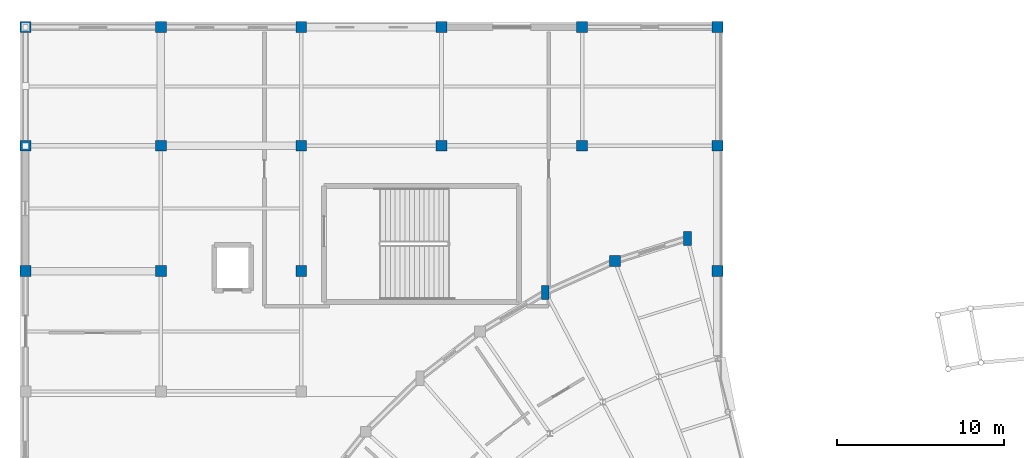
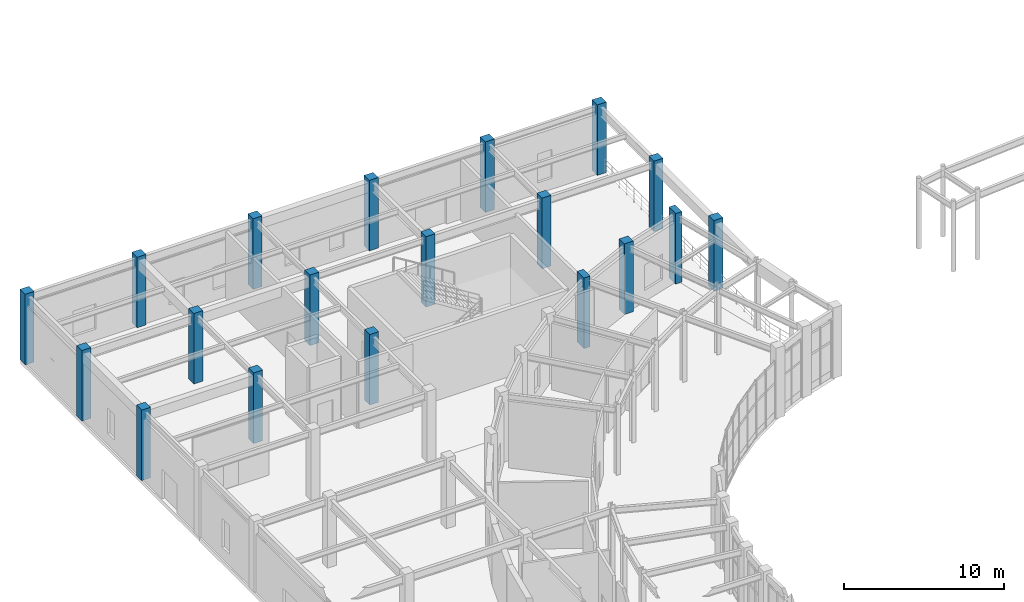
# One storey, part 11 of 93: 19 columns.
"""IFC4 building model written with IfcOpenShell, lengths in metres."""

import ifcopenshell
import ifcopenshell.guid

model = None  # the IFC model being written
_history = None  # IfcOwnerHistory: only IFC2X3 demands one
_inside = {}  # id of a spatial element -> (the spatial element, [elements in it])
_under = {}  # id of a project, library or spatial element -> (it, [spatial elements below it])
_declared = {}  # id of a project -> (the project, [libraries it declares])
_typed = {}  # id of a type object -> (the type object, [elements of that type])
_made_of = {}  # id of a material, layer set ... -> (it, [elements and type objects made of it])


def new_model(schema):
    """Start an empty IFC model of exactly this schema.

    Asked for "IFC4X3", IfcOpenShell would pick the latest addendum, in which some entities
    have other attributes; the version numbers below select the first issue.
    IFC2X3 requires an IfcOwnerHistory on every rooted entity: one is made here for all.
    """
    global model, _history
    if schema == "IFC4X3":
        model = ifcopenshell.file(schema_version=(4, 3, 0, 0))
    else:
        model = ifcopenshell.file(schema=schema)
    _inside.clear()
    _under.clear()
    _declared.clear()
    _typed.clear()
    _made_of.clear()
    _history = None
    if model.schema == "IFC2X3":
        org = make("IfcOrganization", Name="unknown")
        user = make(
            "IfcPersonAndOrganization",
            ThePerson=make("IfcPerson", FamilyName="unknown"),
            TheOrganization=org,
        )
        app = make(
            "IfcApplication",
            ApplicationDeveloper=org,
            Version="unknown",
            ApplicationFullName="unknown",
            ApplicationIdentifier="unknown",
        )
        _history = make(
            "IfcOwnerHistory",
            OwningUser=user,
            OwningApplication=app,
            ChangeAction="ADDED",
            CreationDate=0,
        )
    return model


def make(cls, **values):
    """One entity of the class cls with the attributes given. An attribute that is None is left unset."""
    return model.create_entity(
        cls, **{name: value for name, value in values.items() if value is not None}
    )


def rooted(cls, **values):
    """An entity with a GlobalId (a new one), such as an element, a storey or a relation."""
    return make(cls, GlobalId=ifcopenshell.guid.new(), OwnerHistory=_history, **values)


def si_unit(unit_type, name, prefix=None):
    """IfcSIUnit, for example si_unit("LENGTHUNIT", "METRE", prefix="MILLI")."""
    return make("IfcSIUnit", UnitType=unit_type, Prefix=prefix, Name=name)


def assignment(units):
    """IfcUnitAssignment: the units of a project."""
    return None if units is None else make("IfcUnitAssignment", Units=units)


def point(xyz):
    """IfcCartesianPoint."""
    return None if xyz is None else make("IfcCartesianPoint", Coordinates=xyz)


def direction(xyz):
    """IfcDirection."""
    return None if xyz is None else make("IfcDirection", DirectionRatios=xyz)


def frame(location, z_axis=None, x_axis=None):
    """IfcAxis2Placement3D, a coordinate frame: its origin and axes. An axis left out is left unset."""
    return make(
        "IfcAxis2Placement3D",
        Location=point(location),
        Axis=direction(z_axis),
        RefDirection=direction(x_axis),
    )


def frame_2d(location, x_axis=None):
    """IfcAxis2Placement2D, a coordinate frame in the plane: its origin and x axis."""
    return make(
        "IfcAxis2Placement2D", Location=point(location), RefDirection=direction(x_axis)
    )


def origin():
    """The frame at (0, 0, 0) with its axes left unset."""
    return frame((0.0, 0.0, 0.0))


def origin_2d():
    """The frame at (0, 0) in the plane with its x axis left unset."""
    return frame_2d((0.0, 0.0))


def place(relative_to, where):
    """IfcLocalPlacement: puts the frame where relative to a parent placement (None: the world)."""
    return make(
        "IfcLocalPlacement", PlacementRelTo=relative_to, RelativePlacement=where
    )


def context(
    kind, dimensions, precision=None, world=None, true_north=None, identifier=None
):
    """IfcGeometricRepresentationContext, for example the 3D "Model" context."""
    return make(
        "IfcGeometricRepresentationContext",
        ContextIdentifier=identifier,
        ContextType=kind,
        CoordinateSpaceDimension=dimensions,
        Precision=precision,
        WorldCoordinateSystem=world,
        TrueNorth=true_north,
    )


def subcontext(parent, identifier, kind, view, scale=None):
    """IfcGeometricRepresentationSubContext, for example "Body" below "Model"."""
    return make(
        "IfcGeometricRepresentationSubContext",
        ContextIdentifier=identifier,
        ContextType=kind,
        ParentContext=parent,
        TargetScale=scale,
        TargetView=view,
    )


def project(units=None, contexts=None):
    """IfcProject with its units and contexts."""
    return rooted(
        "IfcProject",
        Name="project",
        RepresentationContexts=contexts,
        UnitsInContext=assignment(units),
    )


def spatial(cls, under=None, at=None, **own):
    """A site, building, storey or space (cls), placed at a placement, below another one or the project."""
    s = rooted(cls, ObjectPlacement=at, **own)
    if under is not None:
        _under.setdefault(under.id(), (under, []))[1].append(s)
    return s


def profile(cls, at=None, kind="AREA", **sizes):
    """A parametric profile (cls). Its sizes go by their IFC names, for example OverallWidth=200.0."""
    return make(cls, ProfileType=kind, Position=at, **sizes)


def rectangle(**sizes):
    """IfcRectangleProfileDef."""
    return profile("IfcRectangleProfileDef", **sizes)


def extrude(swept, where, along, depth):
    """IfcExtrudedAreaSolid: the profile swept, set in the frame where, extruded along a direction by depth."""
    return make(
        "IfcExtrudedAreaSolid",
        SweptArea=swept,
        Position=where,
        ExtrudedDirection=direction(along),
        Depth=depth,
    )


def shape(context_of_items, identifier, shape_type, items):
    """IfcShapeRepresentation: the items that make up one representation, for example the "Body"."""
    return make(
        "IfcShapeRepresentation",
        ContextOfItems=context_of_items,
        RepresentationIdentifier=identifier,
        RepresentationType=shape_type,
        Items=items,
    )


def material(Name=None, Category=None):
    """IfcMaterial."""
    return make("IfcMaterial", Name=Name, Category=Category)


def material_profile(
    of_material, cross_section, Name=None, Category=None, Priority=None
):
    """IfcMaterialProfile: a cross section and its material."""
    return make(
        "IfcMaterialProfile",
        Name=Name,
        Material=of_material,
        Profile=cross_section,
        Priority=Priority,
        Category=Category,
    )


def profile_set(profiles, Name=None, composite=None):
    """IfcMaterialProfileSet."""
    return make(
        "IfcMaterialProfileSet",
        Name=Name,
        MaterialProfiles=profiles,
        CompositeProfile=composite,
    )


def made_of(thing, what):
    """Note that an element or type object is made of a material, layer set ...; save() writes the relation."""
    if what is not None:
        _made_of.setdefault(what.id(), (what, []))[1].append(thing)
    return thing


def type_object(cls, material=None, **own):
    """A type object (cls), such as IfcWallType, which elements share."""
    return made_of(rooted(cls, **own), material)


def element(
    cls,
    number,
    at=None,
    inside=None,
    cuts=None,
    type_object=None,
    material=None,
    context=None,
    identifier="Body",
    shape_type=None,
    held_by="IfcProductDefinitionShape",
    body=None,
    shapes=None,
    **own,
):
    """One element of the class cls, such as IfcWall. Its Tag is "e" and its number.

    at: its placement. inside: the storey or other place that contains it. cuts: it is an
    opening in that element (IfcRelVoidsElement). A single representation is given by context,
    identifier, shape_type and body (its items); several are given by shapes. held_by: the class
    of the entity that holds the representations. save() writes the other relations.
    """
    e = rooted(cls, Tag="e%d" % number, ObjectPlacement=at, **own)
    if body is not None:
        shapes = [shape(context, identifier, shape_type, body)]
    if shapes is not None:
        e.Representation = make(held_by, Representations=shapes)
    if inside is not None:
        _inside.setdefault(inside.id(), (inside, []))[1].append(e)
    if cuts is not None:
        rooted(
            "IfcRelVoidsElement", RelatingBuildingElement=cuts, RelatedOpeningElement=e
        )
    if type_object is not None:
        _typed.setdefault(type_object.id(), (type_object, []))[1].append(e)
    return made_of(e, material)


def aggregate(whole, parts):
    """IfcRelAggregates: a whole, such as a stair, and the parts it consists of."""
    return rooted("IfcRelAggregates", RelatingObject=whole, RelatedObjects=parts)


def save(model, path):
    """Write the relations noted so far, then the file.

    IfcRelAggregates (storeys below a building ...), IfcRelContainedInSpatialStructure (elements
    in a storey), IfcRelDefinesByType, IfcRelAssociatesMaterial and IfcRelDeclares: one each for
    every whole, place, type object, material and project.
    """
    for whole, parts in _under.values():
        aggregate(whole, parts)
    for where, things in _inside.values():
        rooted(
            "IfcRelContainedInSpatialStructure",
            RelatedElements=things,
            RelatingStructure=where,
        )
    for kind, things in _typed.values():
        rooted("IfcRelDefinesByType", RelatedObjects=things, RelatingType=kind)
    for what, things in _made_of.values():
        rooted("IfcRelAssociatesMaterial", RelatedObjects=things, RelatingMaterial=what)
    for by, libraries in _declared.values():
        rooted("IfcRelDeclares", RelatingContext=by, RelatedDefinitions=libraries)
    model.write(path)


model = new_model("IFC4")

# Units and contexts
model_context = context("Model", 3, precision=1e-05, world=origin(), true_north=direction((0.0, 1.0)))
body_context = subcontext(model_context, "Body", "Model", "MODEL_VIEW")
ifc_project = project(units=[si_unit("LENGTHUNIT", "METRE"), si_unit("AREAUNIT", "SQUARE_METRE"), si_unit("VOLUMEUNIT", "CUBIC_METRE"), si_unit("PLANEANGLEUNIT", "RADIAN"), si_unit("MASSUNIT", "GRAM", prefix="KILO")], contexts=[model_context])

# Site, building, storey
site_placement = place(None, origin())
site = spatial("IfcSite", under=ifc_project, at=site_placement, CompositionType="ELEMENT")
building_placement = place(site_placement, origin())
building = spatial("IfcBuilding", under=site, at=building_placement, Name="Cinderbank Siding Concert Hall", CompositionType="ELEMENT")
storey_placement = place(building_placement, origin())
storey = spatial("IfcBuildingStorey", under=building, at=storey_placement, Name="L01", CompositionType="ELEMENT", Elevation=0.0)

# Columns
ifc_material = material(Name="Reinforced concrete AS 3600 N50 (50 MPa)", Category="concrete")
ifc_material_profile_1 = material_profile(ifc_material, rectangle(XDim=0.64990234375, YDim=0.64990234375, at=origin_2d()), Name="RC-COL-650x650", Category="LoadBearing")
ifc_profile_set_1 = profile_set([ifc_material_profile_1], Name="Reinforced concrete AS 3600 N50 (50 MPa)")
column_type_1 = type_object("IfcColumnType", Name="C-RC650 RC-COL-650x650", PredefinedType="COLUMN", material=ifc_profile_set_1)
for number, where, z_axis, x_axis, name in (
    (1, (42.364013671875, 103.89697265625, 0.0), (0.0, 0.0, 1.0), (1.0, 0.0, 0.0), "L01 Column COL-WOUT-02"),
    (2, (7.10009765625, 103.300048828125, 0.0), (0.0, 0.0, 1.0), (1.0, 0.0, 0.0), "L01 Column COL-NW-1-2"),
    (3, (7.10009765625, 110.800048828125, 0.0), (0.0, 0.0, 1.0), (1.0, 0.0, 0.0), "L01 Column COL-NW-1-3"),
    (4, (7.10009765625, 117.89990234375, 0.0), (0.0, 0.0, 1.0), (1.0, 0.0, 0.0), "L01 Column COL-NW-1-4"),
    (5, (15.199951171875, 103.300048828125, 0.0), (0.0, 0.0, 1.0), (1.0, 0.0, 0.0), "L01 Column COL-NW-2-2"),
    (6, (15.199951171875, 110.800048828125, 0.0), (0.0, 0.0, 1.0), (1.0, 0.0, 0.0), "L01 Column COL-NW-2-3"),
    (7, (15.199951171875, 117.89990234375, 0.0), (0.0, 0.0, 1.0), (1.0, 0.0, 0.0), "L01 Column COL-NW-2-4"),
    (8, (23.60009765625, 103.300048828125, 0.0), (0.0, 0.0, 1.0), (1.0, 0.0, 0.0), "L01 Column COL-NW-3-2"),
    (9, (23.60009765625, 110.800048828125, 0.0), (0.0, 0.0, 1.0), (1.0, 0.0, 0.0), "L01 Column COL-NW-3-3"),
    (10, (23.60009765625, 117.89990234375, 0.0), (0.0, 0.0, 1.0), (1.0, 0.0, 0.0), "L01 Column COL-NW-3-4"),
    (11, (32.0, 110.800048828125, 0.0), (0.0, 0.0, 1.0), (1.0, 0.0, 0.0), "L01 Column COL-NW-4-3"),
    (12, (32.0, 117.89990234375, 0.0), (0.0, 0.0, 1.0), (1.0, 0.0, 0.0), "L01 Column COL-NW-4-4"),
    (13, (40.39990234375, 110.800048828125, 0.0), (0.0, 0.0, 1.0), (1.0, 0.0, 0.0), "L01 Column COL-NW-5-3"),
    (14, (40.39990234375, 117.89990234375, 0.0), (0.0, 0.0, 1.0), (1.0, 0.0, 0.0), "L01 Column COL-NW-5-4"),
    (15, (48.5, 103.300048828125, 0.0), (0.0, 0.0, 1.0), (1.0, 0.0, 0.0), "L01 Column COL-NW-6-2"),
    (16, (48.5, 110.800048828125, 0.0), (0.0, 0.0, 1.0), (1.0, 0.0, 0.0), "L01 Column COL-NW-6-3"),
    (17, (48.5, 117.89990234375, 0.0), (0.0, 0.0, 1.0), (1.0, 0.0, 0.0), "L01 Column COL-NW-6-4"),
):
    element("IfcColumn", number, at=place(storey_placement, frame(where, z_axis=z_axis, x_axis=x_axis)), inside=storey, type_object=column_type_1, Name=name, PredefinedType="COLUMN", context=body_context, shape_type="SweptSolid", body=[
        extrude(rectangle(XDim=0.64990234375, YDim=0.64990234375, at=origin_2d()), origin(), (0.0, 0.0, 1.0), 5.39990234375),
    ])
ifc_material_profile_2 = material_profile(ifc_material, rectangle(XDim=0.449951171875, YDim=0.85009765625, at=origin_2d()), Name="RC-PIER-450x850", Category="LoadBearing")
ifc_profile_set_2 = profile_set([ifc_material_profile_2], Name="Reinforced concrete AS 3600 N50 (50 MPa)")
column_type_2 = type_object("IfcColumnType", Name="PL-RC850 RC-PIER-450x850", PredefinedType="PILASTER", material=ifc_profile_set_2)
for number, where, z_axis, x_axis, name in (
    (18, (46.7099609375, 105.259033203125, 0.0), (0.0, 0.0, 1.0), (1.0, 0.0, 0.0), "L01 Column COL-WOUT-01"),
    (19, (38.208984375, 102.030029296875, 0.0), (0.0, 0.0, 1.0), (1.0, 0.0, 0.0), "L01 Column COL-WOUT-03"),
):
    element("IfcColumn", number, at=place(storey_placement, frame(where, z_axis=z_axis, x_axis=x_axis)), inside=storey, type_object=column_type_2, Name=name, PredefinedType="PILASTER", context=body_context, shape_type="SweptSolid", body=[
        extrude(rectangle(XDim=0.449951171875, YDim=0.85009765625, at=origin_2d()), origin(), (0.0, 0.0, 1.0), 5.39990234375),
    ])

save(model, "model.ifc")
